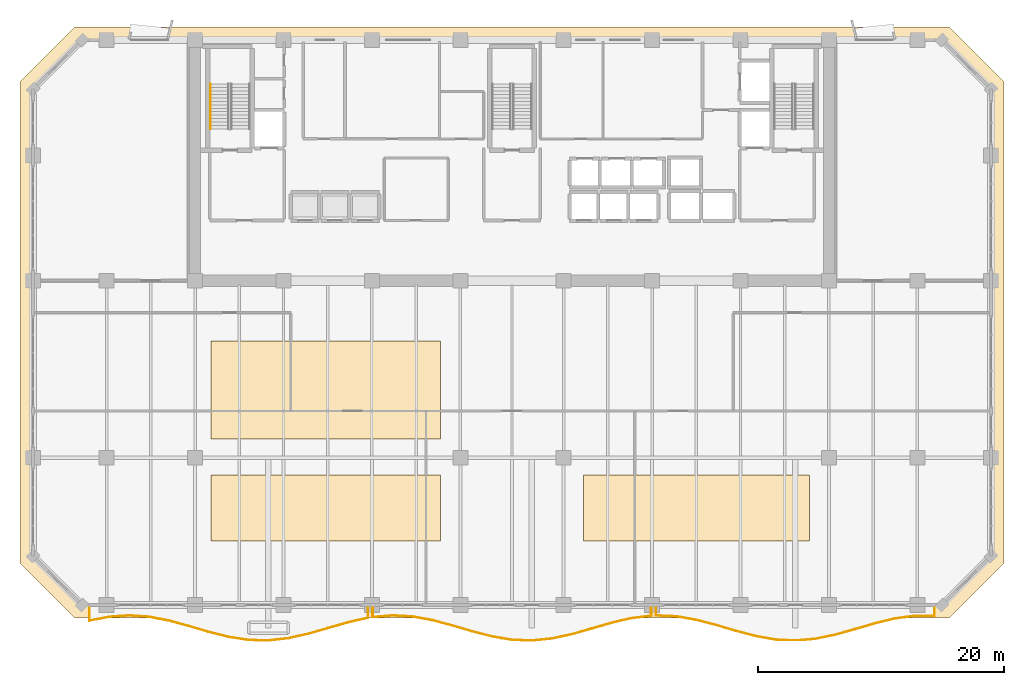
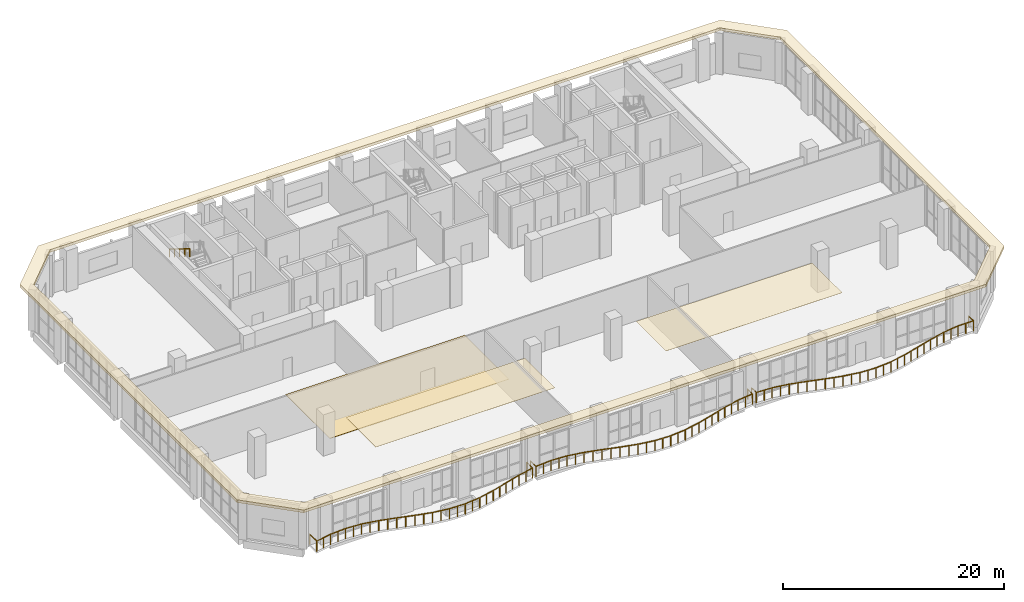
# One storey, part 34 of 37: 4 coverings, 4 railings.
"""IFC4 building model written with IfcOpenShell, lengths in metres."""

from ifc_helpers import new_model, si_unit, direction, frame, origin, origin_2d, place, context, subcontext, project, spatial, polyline, rectangle, outline, extrude, material, layer, layer_set, type_object, element, save


model = new_model("IFC4")

# Units and contexts
model_context = context("Model", 3, precision=1e-05, world=origin(), true_north=direction((0.0, 1.0)))
body_context = subcontext(model_context, "Body", "Model", "MODEL_VIEW")
ifc_project = project(units=[si_unit("LENGTHUNIT", "METRE"), si_unit("AREAUNIT", "SQUARE_METRE"), si_unit("VOLUMEUNIT", "CUBIC_METRE"), si_unit("PLANEANGLEUNIT", "RADIAN"), si_unit("MASSUNIT", "GRAM", prefix="KILO")], contexts=[model_context])

# Site, building, storey
site_placement = place(None, origin())
site = spatial("IfcSite", under=ifc_project, at=site_placement, CompositionType="ELEMENT")
building_placement = place(site_placement, origin())
building = spatial("IfcBuilding", under=site, at=building_placement, Name="Kaelvorn Grand Hotel", CompositionType="ELEMENT")
storey_placement = place(building_placement, frame((0.0, 0.0, 224.35009765625)))
storey = spatial("IfcBuildingStorey", under=building, at=storey_placement, Name="L55", CompositionType="ELEMENT", Elevation=224.35009765625)

# Coverings
ifc_material_1 = material(Name="Precast concrete C45/55", Category="concrete")
ifc_layer_1 = layer(ifc_material_1, 0.260009765625)
ifc_layer_set_1 = layer_set([ifc_layer_1], Name="Precast concrete C45/55")
covering_type_1 = type_object("IfcCoveringType", Name="COV-BAND-STREAMLINE-HEAD", PredefinedType="CLADDING", material=ifc_layer_set_1)
covering_1_placement = place(storey_placement, frame((0.0, 0.0, 4.539794921875)))
element("IfcCovering", 1, at=covering_1_placement, inside=storey, type_object=covering_type_1, Name="L55 Streamline Moderne Wraparound Horizontal Eyebrow Band", PredefinedType="CLADDING", context=body_context, shape_type="SweptSolid", body=[
    extrude(outline(polyline([(6.389892578125, 1.949951171875), (77.610107421875, 1.949951171875), (82.050048828125, 6.389892578125), (82.050048828125, 45.610107421875), (77.610107421875, 50.050048828125), (6.389892578125, 50.050048828125), (1.949951171875, 45.610107421875), (1.949951171875, 6.389892578125), (6.389892578125, 1.949951171875)]), holes=[polyline([(7.02001953125, 3.030029296875), (76.97998046875, 3.030029296875), (80.969970703125, 7.02001953125), (80.969970703125, 44.97998046875), (76.97998046875, 48.969970703125), (7.02001953125, 48.969970703125), (3.030029296875, 44.97998046875), (3.030029296875, 7.02001953125), (7.02001953125, 3.030029296875)])]), origin(), (0.0, 0.0, 1.0), 0.300048828125),
])
ifc_material_2 = material(Name="Acoustic Mineral Fibre Board")
ifc_layer_2 = layer(ifc_material_2, 0.02490234375)
ifc_layer_set_2 = layer_set([ifc_layer_2], Name="Acoustic Mineral Fibre Board")
covering_type_2 = type_object("IfcCoveringType", Name="COV-CEIL-ACOUSTIC-25", PredefinedType="CEILING", material=ifc_layer_set_2)
covering_2_placement = place(storey_placement, frame((0.0, 0.0, 4.08984375)))
element("IfcCovering", 2, at=covering_2_placement, inside=storey, type_object=covering_type_2, Name="L55 Suspended Acoustic Ceiling Panel 1", PredefinedType="CEILING", context=body_context, shape_type="SweptSolid", body=[
    extrude(outline(polyline([(17.5, 8.199951171875), (36.199951171875, 8.199951171875), (36.199951171875, 13.60009765625), (17.5, 13.60009765625), (17.5, 8.199951171875)])), origin(), (0.0, 0.0, 1.0), 0.025146484375),
])
covering_3_placement = place(storey_placement, frame((0.0, 0.0, 4.08984375)))
element("IfcCovering", 3, at=covering_3_placement, inside=storey, type_object=covering_type_2, Name="L55 Suspended Acoustic Ceiling Panel 2", PredefinedType="CEILING", context=body_context, shape_type="SweptSolid", body=[
    extrude(outline(polyline([(47.800048828125, 8.199951171875), (66.199951171875, 8.199951171875), (66.199951171875, 13.60009765625), (47.800048828125, 13.60009765625), (47.800048828125, 8.199951171875)])), origin(), (0.0, 0.0, 1.0), 0.025146484375),
])
ifc_material_3 = material(Name="Polished Terrazzo Stone Tile", Category="masonry")
ifc_layer_3 = layer(ifc_material_3, 0.0400390625)
ifc_layer_set_3 = layer_set([ifc_layer_3], Name="Polished Terrazzo Stone Tile")
covering_type_3 = type_object("IfcCoveringType", Name="COV-FLR-TERRAZZO-40", PredefinedType="FLOORING", material=ifc_layer_set_3)
covering_4_placement = place(storey_placement, origin())
element("IfcCovering", 4, at=covering_4_placement, inside=storey, type_object=covering_type_3, Name="L55 Terrazzo Concourse Floor Finish", PredefinedType="FLOORING", context=body_context, shape_type="SweptSolid", body=[
    extrude(outline(polyline([(17.5, 16.5), (36.199951171875, 16.5), (36.199951171875, 24.5), (17.5, 24.5), (17.5, 16.5)])), origin(), (0.0, 0.0, 1.0), 0.039794921875),
])

# Railings
ifc_material_4 = material(Name="Stainless Steel", Category="steel")
railing_type_1 = type_object("IfcRailingType", Name="RL-BALC-1150", PredefinedType="BALUSTRADE", material=ifc_material_4)
railing_1_placement = place(storey_placement, frame((7.60009765625, 3.0, 0.0)))
element("IfcRailing", 5, at=railing_1_placement, inside=storey, type_object=railing_type_1, Name="L55 Scalloped Wave Balcony Balustrade GR1-1", PredefinedType="BALUSTRADE", context=body_context, shape_type="SweptSolid", body=[
    extrude(rectangle(XDim=0.048095703125, YDim=0.048095703125, at=origin_2d()), frame((0.0, 0.0, 1.1259765625), z_axis=(0.0, -1.0, 0.0), x_axis=(1.0, 0.0, 0.0)), (0.0, 0.0, 1.0), 1.2724609375),
    extrude(rectangle(XDim=0.048095703125, YDim=0.048095703125, at=origin_2d()), frame((0.0, -1.2724609375, 1.1259765625), z_axis=(0.982094021858, 0.18839143354, 0.0), x_axis=(-0.18839143354, 0.982094021858, 0.0)), (0.0, 0.0, 1.0), 1.6484375),
    extrude(rectangle(XDim=0.048095703125, YDim=0.048095703125, at=origin_2d()), frame((1.618896484375, -0.9619140625, 1.1259765625), z_axis=(0.997623915422, 0.068895017078, 0.0), x_axis=(-0.068895017078, 0.997623915422, 0.0)), (0.0, 0.0, 1.0), 1.623046875),
    extrude(rectangle(XDim=0.048095703125, YDim=0.048095703125, at=origin_2d()), frame((3.238037109375, -0.85009765625, 1.1259765625), z_axis=(0.99764384086, -0.068605880174, 0.0), x_axis=(0.068605880174, 0.99764384086, 0.0)), (0.0, 0.0, 1.0), 1.622802734375),
    extrude(rectangle(XDim=0.048095703125, YDim=0.048095703125, at=origin_2d()), frame((4.85693359375, -0.96142578125, 1.1259765625), z_axis=(0.982154027822, -0.188078349719, 0.0), x_axis=(0.188078349719, 0.982154027822, 0.0)), (0.0, 0.0, 1.0), 1.648681640625),
    extrude(rectangle(XDim=0.048095703125, YDim=0.048095703125, at=origin_2d()), frame((6.47607421875, -1.271484375, 1.1259765625), z_axis=(0.964753749565, -0.263154332473, 0.0), x_axis=(0.263154332473, 0.964753749565, 0.0)), (0.0, 0.0, 1.0), 1.67822265625),
    extrude(rectangle(XDim=0.048095703125, YDim=0.048095703125, at=origin_2d()), frame((8.09521484375, -1.713134765625, 1.1259765625), z_axis=(0.95922025705, -0.282659686665, 0.0), x_axis=(0.282659686665, 0.95922025705, 0.0)), (0.0, 0.0, 1.0), 1.687744140625),
    extrude(rectangle(XDim=0.048095703125, YDim=0.048095703125, at=origin_2d()), frame((9.714111328125, -2.190185546875, 1.1259765625), z_axis=(0.969658957211, -0.244461667138, 0.0), x_axis=(0.244461667138, 0.969658957211, 0.0)), (0.0, 0.0, 1.0), 1.669921875),
    extrude(rectangle(XDim=0.048095703125, YDim=0.048095703125, at=origin_2d()), frame((11.333251953125, -2.598388671875, 1.1259765625), z_axis=(0.988221348221, -0.153031261252, 0.0), x_axis=(0.153031261252, 0.988221348221, 0.0)), (0.0, 0.0, 1.0), 1.638427734375),
    extrude(rectangle(XDim=0.048095703125, YDim=0.048095703125, at=origin_2d()), frame((12.952392578125, -2.84912109375, 1.1259765625), z_axis=(0.99971624649, -0.023820715872, 0.0), x_axis=(0.023820715872, 0.99971624649, 0.0)), (0.0, 0.0, 1.0), 1.619384765625),
    extrude(rectangle(XDim=0.048095703125, YDim=0.048095703125, at=origin_2d()), frame((14.5712890625, -2.8876953125, 1.1259765625), z_axis=(0.993749613979, 0.111632005792, 0.0), x_axis=(-0.111632005792, 0.993749613979, 0.0)), (0.0, 0.0, 1.0), 1.62939453125),
    extrude(rectangle(XDim=0.048095703125, YDim=0.048095703125, at=origin_2d()), frame((16.1904296875, -2.705810546875, 1.1259765625), z_axis=(0.975797698507, 0.218675219421, 0.0), x_axis=(-0.218675219421, 0.975797698507, 0.0)), (0.0, 0.0, 1.0), 1.658935546875),
    extrude(rectangle(XDim=0.048095703125, YDim=0.048095703125, at=origin_2d()), frame((17.809326171875, -2.343017578125, 1.1259765625), z_axis=(0.961211580708, 0.275812068469, 0.0), x_axis=(-0.275812068469, 0.961211580708, 0.0)), (0.0, 0.0, 1.0), 1.6845703125),
    extrude(rectangle(XDim=0.048095703125, YDim=0.048095703125, at=origin_2d()), frame((19.428466796875, -1.87841796875, 1.1259765625), z_axis=(0.961057758635, 0.27634757927, 0.0), x_axis=(-0.27634757927, 0.961057758635, 0.0)), (0.0, 0.0, 1.0), 1.684814453125),
    extrude(rectangle(XDim=0.048095703125, YDim=0.048095703125, at=origin_2d()), frame((21.047607421875, -1.412841796875, 1.1259765625), z_axis=(0.97554591374, 0.219795746513, 0.0), x_axis=(-0.219795746513, 0.97554591374, 0.0)), (0.0, 0.0, 1.0), 1.659423828125),
    extrude(rectangle(XDim=0.048095703125, YDim=0.048095703125, at=origin_2d()), frame((22.66650390625, -1.048095703125, 1.1259765625), z_axis=(0.0, 1.0, 0.0), x_axis=(-1.0, 0.0, 0.0)), (0.0, 0.0, 1.0), 1.048095703125),
    extrude(rectangle(XDim=0.0419921875, YDim=0.0419921875, at=origin_2d()), origin(), (0.0, 0.0, 1.0), 1.101806640625),
    extrude(rectangle(XDim=0.0419921875, YDim=0.0419921875, at=origin_2d()), frame((0.0, -1.2724609375, 0.0)), (0.0, 0.0, 1.0), 1.101806640625),
    extrude(rectangle(XDim=0.0419921875, YDim=0.0419921875, at=origin_2d()), frame((0.8095703125, -1.1171875, 0.0)), (0.0, 0.0, 1.0), 1.101806640625),
    extrude(rectangle(XDim=0.0419921875, YDim=0.0419921875, at=origin_2d()), frame((1.618896484375, -0.9619140625, 0.0)), (0.0, 0.0, 1.0), 1.101806640625),
    extrude(rectangle(XDim=0.0419921875, YDim=0.0419921875, at=origin_2d()), frame((2.428466796875, -0.906005859375, 0.0)), (0.0, 0.0, 1.0), 1.101806640625),
    extrude(rectangle(XDim=0.0419921875, YDim=0.0419921875, at=origin_2d()), frame((3.238037109375, -0.85009765625, 0.0)), (0.0, 0.0, 1.0), 1.101806640625),
    extrude(rectangle(XDim=0.0419921875, YDim=0.0419921875, at=origin_2d()), frame((4.04736328125, -0.90576171875, 0.0)), (0.0, 0.0, 1.0), 1.101806640625),
    extrude(rectangle(XDim=0.0419921875, YDim=0.0419921875, at=origin_2d()), frame((4.85693359375, -0.96142578125, 0.0)), (0.0, 0.0, 1.0), 1.101806640625),
    extrude(rectangle(XDim=0.0419921875, YDim=0.0419921875, at=origin_2d()), frame((5.66650390625, -1.116455078125, 0.0)), (0.0, 0.0, 1.0), 1.101806640625),
    extrude(rectangle(XDim=0.0419921875, YDim=0.0419921875, at=origin_2d()), frame((6.47607421875, -1.271484375, 0.0)), (0.0, 0.0, 1.0), 1.101806640625),
    extrude(rectangle(XDim=0.0419921875, YDim=0.0419921875, at=origin_2d()), frame((7.28564453125, -1.4921875, 0.0)), (0.0, 0.0, 1.0), 1.101806640625),
    extrude(rectangle(XDim=0.0419921875, YDim=0.0419921875, at=origin_2d()), frame((8.09521484375, -1.713134765625, 0.0)), (0.0, 0.0, 1.0), 1.101806640625),
    extrude(rectangle(XDim=0.0419921875, YDim=0.0419921875, at=origin_2d()), frame((8.90478515625, -1.95166015625, 0.0)), (0.0, 0.0, 1.0), 1.101806640625),
    extrude(rectangle(XDim=0.0419921875, YDim=0.0419921875, at=origin_2d()), frame((9.714111328125, -2.190185546875, 0.0)), (0.0, 0.0, 1.0), 1.101806640625),
    extrude(rectangle(XDim=0.0419921875, YDim=0.0419921875, at=origin_2d()), frame((10.523681640625, -2.394287109375, 0.0)), (0.0, 0.0, 1.0), 1.101806640625),
    extrude(rectangle(XDim=0.0419921875, YDim=0.0419921875, at=origin_2d()), frame((11.333251953125, -2.598388671875, 0.0)), (0.0, 0.0, 1.0), 1.101806640625),
    extrude(rectangle(XDim=0.0419921875, YDim=0.0419921875, at=origin_2d()), frame((12.142822265625, -2.7236328125, 0.0)), (0.0, 0.0, 1.0), 1.101806640625),
    extrude(rectangle(XDim=0.0419921875, YDim=0.0419921875, at=origin_2d()), frame((12.952392578125, -2.84912109375, 0.0)), (0.0, 0.0, 1.0), 1.101806640625),
    extrude(rectangle(XDim=0.0419921875, YDim=0.0419921875, at=origin_2d()), frame((13.76171875, -2.868408203125, 0.0)), (0.0, 0.0, 1.0), 1.101806640625),
    extrude(rectangle(XDim=0.0419921875, YDim=0.0419921875, at=origin_2d()), frame((14.5712890625, -2.8876953125, 0.0)), (0.0, 0.0, 1.0), 1.101806640625),
    extrude(rectangle(XDim=0.0419921875, YDim=0.0419921875, at=origin_2d()), frame((15.380859375, -2.796875, 0.0)), (0.0, 0.0, 1.0), 1.101806640625),
    extrude(rectangle(XDim=0.0419921875, YDim=0.0419921875, at=origin_2d()), frame((16.1904296875, -2.705810546875, 0.0)), (0.0, 0.0, 1.0), 1.101806640625),
    extrude(rectangle(XDim=0.0419921875, YDim=0.0419921875, at=origin_2d()), frame((17.0, -2.5244140625, 0.0)), (0.0, 0.0, 1.0), 1.101806640625),
    extrude(rectangle(XDim=0.0419921875, YDim=0.0419921875, at=origin_2d()), frame((17.809326171875, -2.343017578125, 0.0)), (0.0, 0.0, 1.0), 1.101806640625),
    extrude(rectangle(XDim=0.0419921875, YDim=0.0419921875, at=origin_2d()), frame((18.618896484375, -2.11083984375, 0.0)), (0.0, 0.0, 1.0), 1.101806640625),
    extrude(rectangle(XDim=0.0419921875, YDim=0.0419921875, at=origin_2d()), frame((19.428466796875, -1.87841796875, 0.0)), (0.0, 0.0, 1.0), 1.101806640625),
    extrude(rectangle(XDim=0.0419921875, YDim=0.0419921875, at=origin_2d()), frame((20.238037109375, -1.6455078125, 0.0)), (0.0, 0.0, 1.0), 1.101806640625),
    extrude(rectangle(XDim=0.0419921875, YDim=0.0419921875, at=origin_2d()), frame((21.047607421875, -1.412841796875, 0.0)), (0.0, 0.0, 1.0), 1.101806640625),
    extrude(rectangle(XDim=0.0419921875, YDim=0.0419921875, at=origin_2d()), frame((21.85693359375, -1.23046875, 0.0)), (0.0, 0.0, 1.0), 1.101806640625),
    extrude(rectangle(XDim=0.0419921875, YDim=0.0419921875, at=origin_2d()), frame((22.66650390625, -1.048095703125, 0.0)), (0.0, 0.0, 1.0), 1.101806640625),
    extrude(rectangle(XDim=0.0419921875, YDim=0.0419921875, at=origin_2d()), frame((22.66650390625, 0.0, 0.0)), (0.0, 0.0, 1.0), 1.101806640625),
])
railing_2_placement = place(storey_placement, frame((30.666748046875, 3.0, 0.0)))
element("IfcRailing", 6, at=railing_2_placement, inside=storey, type_object=railing_type_1, Name="L55 Scalloped Wave Balcony Balustrade GR1-2", PredefinedType="BALUSTRADE", context=body_context, shape_type="SweptSolid", body=[
    extrude(rectangle(XDim=0.048095703125, YDim=0.048095703125, at=origin_2d()), frame((0.0, 0.0, 1.1259765625), z_axis=(0.0, -1.0, 0.0), x_axis=(1.0, 0.0, 0.0)), (0.0, 0.0, 1.0), 0.9833984375),
    extrude(rectangle(XDim=0.048095703125, YDim=0.048095703125, at=origin_2d()), frame((0.0, -0.9833984375, 1.1259765625), z_axis=(0.99667615303, 0.081465612267, 0.0), x_axis=(-0.081465612267, 0.99667615303, 0.0)), (0.0, 0.0, 1.0), 1.624267578125),
    extrude(rectangle(XDim=0.048095703125, YDim=0.048095703125, at=origin_2d()), frame((1.618896484375, -0.85107421875, 1.1259765625), z_axis=(0.998438971105, -0.055853567292, 0.0), x_axis=(0.055853567292, 0.998438971105, 0.0)), (0.0, 0.0, 1.0), 1.62158203125),
    extrude(rectangle(XDim=0.048095703125, YDim=0.048095703125, at=origin_2d()), frame((3.238037109375, -0.941650390625, 1.1259765625), z_axis=(0.983917350354, -0.178624319938, 0.0), x_axis=(0.178624319938, 0.983917350354, 0.0)), (0.0, 0.0, 1.0), 1.6455078125),
    extrude(rectangle(XDim=0.048095703125, YDim=0.048095703125, at=origin_2d()), frame((4.857177734375, -1.235595703125, 1.1259765625), z_axis=(0.966063041937, -0.258306405271, 0.0), x_axis=(0.258306405271, 0.966063041937, 0.0)), (0.0, 0.0, 1.0), 1.67578125),
    extrude(rectangle(XDim=0.048095703125, YDim=0.048095703125, at=origin_2d()), frame((6.47607421875, -1.66845703125, 1.1259765625), z_axis=(0.959074846834, -0.283152676433, 0.0), x_axis=(0.283152676433, 0.959074846834, 0.0)), (0.0, 0.0, 1.0), 1.688232421875),
    extrude(rectangle(XDim=0.048095703125, YDim=0.048095703125, at=origin_2d()), frame((8.09521484375, -2.146484375, 1.1259765625), z_axis=(0.968108458434, -0.250531460515, 0.0), x_axis=(0.250531460515, 0.968108458434, 0.0)), (0.0, 0.0, 1.0), 1.672119140625),
    extrude(rectangle(XDim=0.048095703125, YDim=0.048095703125, at=origin_2d()), frame((9.714111328125, -2.5654296875, 1.1259765625), z_axis=(0.986522272056, -0.163627035474, 0.0), x_axis=(0.163627035474, 0.986522272056, 0.0)), (0.0, 0.0, 1.0), 1.641357421875),
    extrude(rectangle(XDim=0.048095703125, YDim=0.048095703125, at=origin_2d()), frame((11.333251953125, -2.833984375, 1.1259765625), z_axis=(0.999318338292, -0.0369169169, 0.0), x_axis=(0.0369169169, 0.999318338292, 0.0)), (0.0, 0.0, 1.0), 1.620361328125),
    extrude(rectangle(XDim=0.048095703125, YDim=0.048095703125, at=origin_2d()), frame((12.952392578125, -2.893798828125, 1.1259765625), z_axis=(0.995023809866, 0.099637431722, 0.0), x_axis=(-0.099637431722, 0.995023809866, 0.0)), (0.0, 0.0, 1.0), 1.626953125),
    extrude(rectangle(XDim=0.048095703125, YDim=0.048095703125, at=origin_2d()), frame((14.5712890625, -2.731689453125, 1.1259765625), z_axis=(0.977594849421, 0.210495392789, 0.0), x_axis=(-0.210495392789, 0.977594849421, 0.0)), (0.0, 0.0, 1.0), 1.65625),
    extrude(rectangle(XDim=0.048095703125, YDim=0.048095703125, at=origin_2d()), frame((16.1904296875, -2.383056640625, 1.1259765625), z_axis=(0.962042331679, 0.272900260276, 0.0), x_axis=(-0.272900260276, 0.962042331679, 0.0)), (0.0, 0.0, 1.0), 1.682861328125),
    extrude(rectangle(XDim=0.048095703125, YDim=0.048095703125, at=origin_2d()), frame((17.809326171875, -1.923828125, 1.1259765625), z_axis=(0.960362484681, 0.278754189236, 0.0), x_axis=(-0.278754189236, 0.960362484681, 0.0)), (0.0, 0.0, 1.0), 1.68603515625),
    extrude(rectangle(XDim=0.048095703125, YDim=0.048095703125, at=origin_2d()), frame((19.428466796875, -1.453857421875, 1.1259765625), z_axis=(0.973791365493, 0.227443128038, 0.0), x_axis=(-0.227443128038, 0.973791365493, 0.0)), (0.0, 0.0, 1.0), 1.66259765625),
    extrude(rectangle(XDim=0.048095703125, YDim=0.048095703125, at=origin_2d()), frame((21.047607421875, -1.07568359375, 1.1259765625), z_axis=(0.992146114202, 0.125084323854, 0.0), x_axis=(-0.125084323854, 0.992146114202, 0.0)), (0.0, 0.0, 1.0), 1.631591796875),
    extrude(rectangle(XDim=0.048095703125, YDim=0.048095703125, at=origin_2d()), frame((22.66650390625, -0.87158203125, 1.1259765625), z_axis=(0.0, 1.0, 0.0), x_axis=(-1.0, 0.0, 0.0)), (0.0, 0.0, 1.0), 0.87158203125),
    extrude(rectangle(XDim=0.0419921875, YDim=0.0419921875, at=origin_2d()), origin(), (0.0, 0.0, 1.0), 1.101806640625),
    extrude(rectangle(XDim=0.0419921875, YDim=0.0419921875, at=origin_2d()), frame((0.0, -0.9833984375, 0.0)), (0.0, 0.0, 1.0), 1.101806640625),
    extrude(rectangle(XDim=0.0419921875, YDim=0.0419921875, at=origin_2d()), frame((0.8095703125, -0.917236328125, 0.0)), (0.0, 0.0, 1.0), 1.101806640625),
    extrude(rectangle(XDim=0.0419921875, YDim=0.0419921875, at=origin_2d()), frame((1.618896484375, -0.85107421875, 0.0)), (0.0, 0.0, 1.0), 1.101806640625),
    extrude(rectangle(XDim=0.0419921875, YDim=0.0419921875, at=origin_2d()), frame((2.428466796875, -0.896484375, 0.0)), (0.0, 0.0, 1.0), 1.101806640625),
    extrude(rectangle(XDim=0.0419921875, YDim=0.0419921875, at=origin_2d()), frame((3.238037109375, -0.941650390625, 0.0)), (0.0, 0.0, 1.0), 1.101806640625),
    extrude(rectangle(XDim=0.0419921875, YDim=0.0419921875, at=origin_2d()), frame((4.047607421875, -1.088623046875, 0.0)), (0.0, 0.0, 1.0), 1.101806640625),
    extrude(rectangle(XDim=0.0419921875, YDim=0.0419921875, at=origin_2d()), frame((4.857177734375, -1.235595703125, 0.0)), (0.0, 0.0, 1.0), 1.101806640625),
    extrude(rectangle(XDim=0.0419921875, YDim=0.0419921875, at=origin_2d()), frame((5.66650390625, -1.4521484375, 0.0)), (0.0, 0.0, 1.0), 1.101806640625),
    extrude(rectangle(XDim=0.0419921875, YDim=0.0419921875, at=origin_2d()), frame((6.47607421875, -1.66845703125, 0.0)), (0.0, 0.0, 1.0), 1.101806640625),
    extrude(rectangle(XDim=0.0419921875, YDim=0.0419921875, at=origin_2d()), frame((7.28564453125, -1.907470703125, 0.0)), (0.0, 0.0, 1.0), 1.101806640625),
    extrude(rectangle(XDim=0.0419921875, YDim=0.0419921875, at=origin_2d()), frame((8.09521484375, -2.146484375, 0.0)), (0.0, 0.0, 1.0), 1.101806640625),
    extrude(rectangle(XDim=0.0419921875, YDim=0.0419921875, at=origin_2d()), frame((8.90478515625, -2.35595703125, 0.0)), (0.0, 0.0, 1.0), 1.101806640625),
    extrude(rectangle(XDim=0.0419921875, YDim=0.0419921875, at=origin_2d()), frame((9.714111328125, -2.5654296875, 0.0)), (0.0, 0.0, 1.0), 1.101806640625),
    extrude(rectangle(XDim=0.0419921875, YDim=0.0419921875, at=origin_2d()), frame((10.523681640625, -2.69970703125, 0.0)), (0.0, 0.0, 1.0), 1.101806640625),
    extrude(rectangle(XDim=0.0419921875, YDim=0.0419921875, at=origin_2d()), frame((11.333251953125, -2.833984375, 0.0)), (0.0, 0.0, 1.0), 1.101806640625),
    extrude(rectangle(XDim=0.0419921875, YDim=0.0419921875, at=origin_2d()), frame((12.142822265625, -2.86376953125, 0.0)), (0.0, 0.0, 1.0), 1.101806640625),
    extrude(rectangle(XDim=0.0419921875, YDim=0.0419921875, at=origin_2d()), frame((12.952392578125, -2.893798828125, 0.0)), (0.0, 0.0, 1.0), 1.101806640625),
    extrude(rectangle(XDim=0.0419921875, YDim=0.0419921875, at=origin_2d()), frame((13.76171875, -2.812744140625, 0.0)), (0.0, 0.0, 1.0), 1.101806640625),
    extrude(rectangle(XDim=0.0419921875, YDim=0.0419921875, at=origin_2d()), frame((14.5712890625, -2.731689453125, 0.0)), (0.0, 0.0, 1.0), 1.101806640625),
    extrude(rectangle(XDim=0.0419921875, YDim=0.0419921875, at=origin_2d()), frame((15.380859375, -2.557373046875, 0.0)), (0.0, 0.0, 1.0), 1.101806640625),
    extrude(rectangle(XDim=0.0419921875, YDim=0.0419921875, at=origin_2d()), frame((16.1904296875, -2.383056640625, 0.0)), (0.0, 0.0, 1.0), 1.101806640625),
    extrude(rectangle(XDim=0.0419921875, YDim=0.0419921875, at=origin_2d()), frame((17.0, -2.1533203125, 0.0)), (0.0, 0.0, 1.0), 1.101806640625),
    extrude(rectangle(XDim=0.0419921875, YDim=0.0419921875, at=origin_2d()), frame((17.809326171875, -1.923828125, 0.0)), (0.0, 0.0, 1.0), 1.101806640625),
    extrude(rectangle(XDim=0.0419921875, YDim=0.0419921875, at=origin_2d()), frame((18.618896484375, -1.68896484375, 0.0)), (0.0, 0.0, 1.0), 1.101806640625),
    extrude(rectangle(XDim=0.0419921875, YDim=0.0419921875, at=origin_2d()), frame((19.428466796875, -1.453857421875, 0.0)), (0.0, 0.0, 1.0), 1.101806640625),
    extrude(rectangle(XDim=0.0419921875, YDim=0.0419921875, at=origin_2d()), frame((20.238037109375, -1.2646484375, 0.0)), (0.0, 0.0, 1.0), 1.101806640625),
    extrude(rectangle(XDim=0.0419921875, YDim=0.0419921875, at=origin_2d()), frame((21.047607421875, -1.07568359375, 0.0)), (0.0, 0.0, 1.0), 1.101806640625),
    extrude(rectangle(XDim=0.0419921875, YDim=0.0419921875, at=origin_2d()), frame((21.85693359375, -0.9736328125, 0.0)), (0.0, 0.0, 1.0), 1.101806640625),
    extrude(rectangle(XDim=0.0419921875, YDim=0.0419921875, at=origin_2d()), frame((22.66650390625, -0.87158203125, 0.0)), (0.0, 0.0, 1.0), 1.101806640625),
    extrude(rectangle(XDim=0.0419921875, YDim=0.0419921875, at=origin_2d()), frame((22.66650390625, 0.0, 0.0)), (0.0, 0.0, 1.0), 1.101806640625),
])
railing_3_placement = place(storey_placement, frame((53.7333984375, 3.0, 0.0)))
element("IfcRailing", 7, at=railing_3_placement, inside=storey, type_object=railing_type_1, Name="L55 Scalloped Wave Balcony Balustrade GR1-3", PredefinedType="BALUSTRADE", context=body_context, shape_type="SweptSolid", body=[
    extrude(rectangle(XDim=0.048095703125, YDim=0.048095703125, at=origin_2d()), frame((0.0, 0.0, 1.1259765625), z_axis=(0.0, -1.0, 0.0), x_axis=(1.0, 0.0, 0.0)), (0.0, 0.0, 1.0), 0.85400390625),
    extrude(rectangle(XDim=0.048095703125, YDim=0.048095703125, at=origin_2d()), frame((0.0, -0.85400390625, 1.1259765625), z_axis=(0.99907116493, -0.043090688157, 0.0), x_axis=(0.043090688157, 0.99907116493, 0.0)), (0.0, 0.0, 1.0), 1.620361328125),
    extrude(rectangle(XDim=0.048095703125, YDim=0.048095703125, at=origin_2d()), frame((1.618896484375, -0.923828125, 1.1259765625), z_axis=(0.985694298007, -0.168543023815, 0.0), x_axis=(0.168543023815, 0.985694298007, 0.0)), (0.0, 0.0, 1.0), 1.642578125),
    extrude(rectangle(XDim=0.048095703125, YDim=0.048095703125, at=origin_2d()), frame((3.238037109375, -1.20068359375, 1.1259765625), z_axis=(0.967441989908, -0.25309286075, 0.0), x_axis=(0.25309286075, 0.967441989908, 0.0)), (0.0, 0.0, 1.0), 1.673583984375),
    extrude(rectangle(XDim=0.048095703125, YDim=0.048095703125, at=origin_2d()), frame((4.857177734375, -1.624267578125, 1.1259765625), z_axis=(0.959023960124, -0.283324979322, 0.0), x_axis=(0.283324979322, 0.959023960124, 0.0)), (0.0, 0.0, 1.0), 1.68798828125),
    extrude(rectangle(XDim=0.048095703125, YDim=0.048095703125, at=origin_2d()), frame((6.47607421875, -2.1025390625, 1.1259765625), z_axis=(0.966688257577, -0.255956661687, 0.0), x_axis=(0.255956661687, 0.966688257577, 0.0)), (0.0, 0.0, 1.0), 1.675048828125),
    extrude(rectangle(XDim=0.048095703125, YDim=0.048095703125, at=origin_2d()), frame((8.09521484375, -2.53125, 1.1259765625), z_axis=(0.984762620889, -0.17390394044, 0.0), x_axis=(0.17390394044, 0.984762620889, 0.0)), (0.0, 0.0, 1.0), 1.64404296875),
    extrude(rectangle(XDim=0.048095703125, YDim=0.048095703125, at=origin_2d()), frame((9.714111328125, -2.817138671875, 1.1259765625), z_axis=(0.998764327733, -0.049697259975, 0.0), x_axis=(0.049697259975, 0.998764327733, 0.0)), (0.0, 0.0, 1.0), 1.62109375),
    extrude(rectangle(XDim=0.048095703125, YDim=0.048095703125, at=origin_2d()), frame((11.333251953125, -2.897705078125, 1.1259765625), z_axis=(0.996184581648, 0.087271297035, 0.0), x_axis=(-0.087271297035, 0.996184581648, 0.0)), (0.0, 0.0, 1.0), 1.625244140625),
    extrude(rectangle(XDim=0.048095703125, YDim=0.048095703125, at=origin_2d()), frame((12.952392578125, -2.755859375, 1.1259765625), z_axis=(0.97940467144, 0.20190713103, 0.0), x_axis=(-0.20190713103, 0.97940467144, 0.0)), (0.0, 0.0, 1.0), 1.65283203125),
    extrude(rectangle(XDim=0.048095703125, YDim=0.048095703125, at=origin_2d()), frame((14.5712890625, -2.422119140625, 1.1259765625), z_axis=(0.963037881614, 0.269365993726, 0.0), x_axis=(-0.269365993726, 0.963037881614, 0.0)), (0.0, 0.0, 1.0), 1.681396484375),
    extrude(rectangle(XDim=0.048095703125, YDim=0.048095703125, at=origin_2d()), frame((16.1904296875, -1.96923828125, 1.1259765625), z_axis=(0.959818254788, 0.280622375759, 0.0), x_axis=(-0.280622375759, 0.959818254788, 0.0)), (0.0, 0.0, 1.0), 1.68701171875),
    extrude(rectangle(XDim=0.048095703125, YDim=0.048095703125, at=origin_2d()), frame((17.8095703125, -1.495849609375, 1.1259765625), z_axis=(0.972068370994, 0.234697852807, 0.0), x_axis=(-0.234697852807, 0.972068370994, 0.0)), (0.0, 0.0, 1.0), 1.66552734375),
    extrude(rectangle(XDim=0.048095703125, YDim=0.048095703125, at=origin_2d()), frame((19.428466796875, -1.10498046875, 1.1259765625), z_axis=(0.990636461105, 0.136526195032, 0.0), x_axis=(-0.136526195032, 0.990636461105, 0.0)), (0.0, 0.0, 1.0), 1.634521484375),
    extrude(rectangle(XDim=0.048095703125, YDim=0.048095703125, at=origin_2d()), frame((21.047607421875, -0.8818359375, 1.1259765625), z_axis=(0.999991084982, 0.004222553217, 0.0), x_axis=(-0.004222553217, 0.999991084982, 0.0)), (0.0, 0.0, 1.0), 1.618896484375),
    extrude(rectangle(XDim=0.048095703125, YDim=0.048095703125, at=origin_2d()), frame((22.66650390625, -0.875, 1.1259765625), z_axis=(0.0, 1.0, 0.0), x_axis=(-1.0, 0.0, 0.0)), (0.0, 0.0, 1.0), 0.875),
    extrude(rectangle(XDim=0.0419921875, YDim=0.0419921875, at=origin_2d()), origin(), (0.0, 0.0, 1.0), 1.101806640625),
    extrude(rectangle(XDim=0.0419921875, YDim=0.0419921875, at=origin_2d()), frame((0.0, -0.85400390625, 0.0)), (0.0, 0.0, 1.0), 1.101806640625),
    extrude(rectangle(XDim=0.0419921875, YDim=0.0419921875, at=origin_2d()), frame((0.8095703125, -0.888916015625, 0.0)), (0.0, 0.0, 1.0), 1.101806640625),
    extrude(rectangle(XDim=0.0419921875, YDim=0.0419921875, at=origin_2d()), frame((1.618896484375, -0.923828125, 0.0)), (0.0, 0.0, 1.0), 1.101806640625),
    extrude(rectangle(XDim=0.0419921875, YDim=0.0419921875, at=origin_2d()), frame((2.428466796875, -1.062255859375, 0.0)), (0.0, 0.0, 1.0), 1.101806640625),
    extrude(rectangle(XDim=0.0419921875, YDim=0.0419921875, at=origin_2d()), frame((3.238037109375, -1.20068359375, 0.0)), (0.0, 0.0, 1.0), 1.101806640625),
    extrude(rectangle(XDim=0.0419921875, YDim=0.0419921875, at=origin_2d()), frame((4.047607421875, -1.41259765625, 0.0)), (0.0, 0.0, 1.0), 1.101806640625),
    extrude(rectangle(XDim=0.0419921875, YDim=0.0419921875, at=origin_2d()), frame((4.857177734375, -1.624267578125, 0.0)), (0.0, 0.0, 1.0), 1.101806640625),
    extrude(rectangle(XDim=0.0419921875, YDim=0.0419921875, at=origin_2d()), frame((5.66650390625, -1.86328125, 0.0)), (0.0, 0.0, 1.0), 1.101806640625),
    extrude(rectangle(XDim=0.0419921875, YDim=0.0419921875, at=origin_2d()), frame((6.47607421875, -2.1025390625, 0.0)), (0.0, 0.0, 1.0), 1.101806640625),
    extrude(rectangle(XDim=0.0419921875, YDim=0.0419921875, at=origin_2d()), frame((7.28564453125, -2.31689453125, 0.0)), (0.0, 0.0, 1.0), 1.101806640625),
    extrude(rectangle(XDim=0.0419921875, YDim=0.0419921875, at=origin_2d()), frame((8.09521484375, -2.53125, 0.0)), (0.0, 0.0, 1.0), 1.101806640625),
    extrude(rectangle(XDim=0.0419921875, YDim=0.0419921875, at=origin_2d()), frame((8.90478515625, -2.67431640625, 0.0)), (0.0, 0.0, 1.0), 1.101806640625),
    extrude(rectangle(XDim=0.0419921875, YDim=0.0419921875, at=origin_2d()), frame((9.714111328125, -2.817138671875, 0.0)), (0.0, 0.0, 1.0), 1.101806640625),
    extrude(rectangle(XDim=0.0419921875, YDim=0.0419921875, at=origin_2d()), frame((10.523681640625, -2.857421875, 0.0)), (0.0, 0.0, 1.0), 1.101806640625),
    extrude(rectangle(XDim=0.0419921875, YDim=0.0419921875, at=origin_2d()), frame((11.333251953125, -2.897705078125, 0.0)), (0.0, 0.0, 1.0), 1.101806640625),
    extrude(rectangle(XDim=0.0419921875, YDim=0.0419921875, at=origin_2d()), frame((12.142822265625, -2.82666015625, 0.0)), (0.0, 0.0, 1.0), 1.101806640625),
    extrude(rectangle(XDim=0.0419921875, YDim=0.0419921875, at=origin_2d()), frame((12.952392578125, -2.755859375, 0.0)), (0.0, 0.0, 1.0), 1.101806640625),
    extrude(rectangle(XDim=0.0419921875, YDim=0.0419921875, at=origin_2d()), frame((13.76171875, -2.5888671875, 0.0)), (0.0, 0.0, 1.0), 1.101806640625),
    extrude(rectangle(XDim=0.0419921875, YDim=0.0419921875, at=origin_2d()), frame((14.5712890625, -2.422119140625, 0.0)), (0.0, 0.0, 1.0), 1.101806640625),
    extrude(rectangle(XDim=0.0419921875, YDim=0.0419921875, at=origin_2d()), frame((15.380859375, -2.19580078125, 0.0)), (0.0, 0.0, 1.0), 1.101806640625),
    extrude(rectangle(XDim=0.0419921875, YDim=0.0419921875, at=origin_2d()), frame((16.1904296875, -1.96923828125, 0.0)), (0.0, 0.0, 1.0), 1.101806640625),
    extrude(rectangle(XDim=0.0419921875, YDim=0.0419921875, at=origin_2d()), frame((17.0, -1.732421875, 0.0)), (0.0, 0.0, 1.0), 1.101806640625),
    extrude(rectangle(XDim=0.0419921875, YDim=0.0419921875, at=origin_2d()), frame((17.8095703125, -1.495849609375, 0.0)), (0.0, 0.0, 1.0), 1.101806640625),
    extrude(rectangle(XDim=0.0419921875, YDim=0.0419921875, at=origin_2d()), frame((18.619140625, -1.30029296875, 0.0)), (0.0, 0.0, 1.0), 1.101806640625),
    extrude(rectangle(XDim=0.0419921875, YDim=0.0419921875, at=origin_2d()), frame((19.428466796875, -1.10498046875, 0.0)), (0.0, 0.0, 1.0), 1.101806640625),
    extrude(rectangle(XDim=0.0419921875, YDim=0.0419921875, at=origin_2d()), frame((20.238037109375, -0.993408203125, 0.0)), (0.0, 0.0, 1.0), 1.101806640625),
    extrude(rectangle(XDim=0.0419921875, YDim=0.0419921875, at=origin_2d()), frame((21.047607421875, -0.8818359375, 0.0)), (0.0, 0.0, 1.0), 1.101806640625),
    extrude(rectangle(XDim=0.0419921875, YDim=0.0419921875, at=origin_2d()), frame((21.85693359375, -0.87841796875, 0.0)), (0.0, 0.0, 1.0), 1.101806640625),
    extrude(rectangle(XDim=0.0419921875, YDim=0.0419921875, at=origin_2d()), frame((22.66650390625, -0.875, 0.0)), (0.0, 0.0, 1.0), 1.101806640625),
    extrude(rectangle(XDim=0.0419921875, YDim=0.0419921875, at=origin_2d()), frame((22.66650390625, 0.0, 0.0)), (0.0, 0.0, 1.0), 1.101806640625),
])
railing_type_2 = type_object("IfcRailingType", Name="RL-HANDRAIL-900", PredefinedType="HANDRAIL", material=ifc_material_4)
railing_4_placement = place(storey_placement, frame((17.449951171875, 45.39990234375, 2.5712890625)))
element("IfcRailing", 8, at=railing_4_placement, inside=storey, type_object=railing_type_2, Name="L55 ST1 stair handrail 2", PredefinedType="HANDRAIL", context=body_context, shape_type="SweptSolid", body=[
    extrude(rectangle(XDim=0.048095703125, YDim=0.048095703125, at=origin_2d()), frame((0.0, 0.0, 0.8759765625), z_axis=(0.0, -0.852850264322, 0.5221555579), x_axis=(1.0, 0.0, 0.0)), (0.0, 0.0, 1.0), 4.267822265625),
    extrude(rectangle(XDim=0.0419921875, YDim=0.0419921875, at=origin_2d()), origin(), (0.0, 0.0, 1.0), 0.851806640625),
    extrude(rectangle(XDim=0.0419921875, YDim=0.0419921875, at=origin_2d()), frame((0.0, -0.909912109375, 0.55712890625)), (0.0, 0.0, 1.0), 0.851806640625),
    extrude(rectangle(XDim=0.0419921875, YDim=0.0419921875, at=origin_2d()), frame((0.0, -1.81982421875, 1.1142578125)), (0.0, 0.0, 1.0), 0.851806640625),
    extrude(rectangle(XDim=0.0419921875, YDim=0.0419921875, at=origin_2d()), frame((0.0, -2.72998046875, 1.67138671875)), (0.0, 0.0, 1.0), 0.851806640625),
    extrude(rectangle(XDim=0.0419921875, YDim=0.0419921875, at=origin_2d()), frame((0.0, -3.639892578125, 2.228515625)), (0.0, 0.0, 1.0), 0.851806640625),
])

save(model, "model.ifc")
